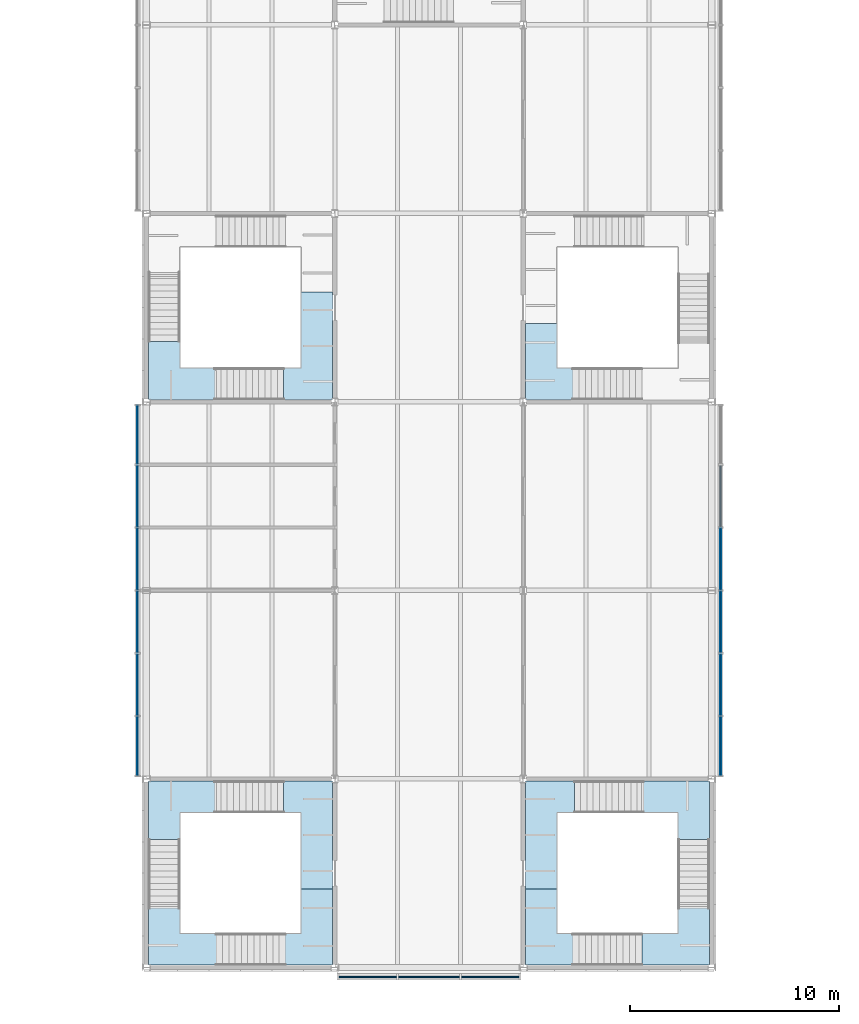
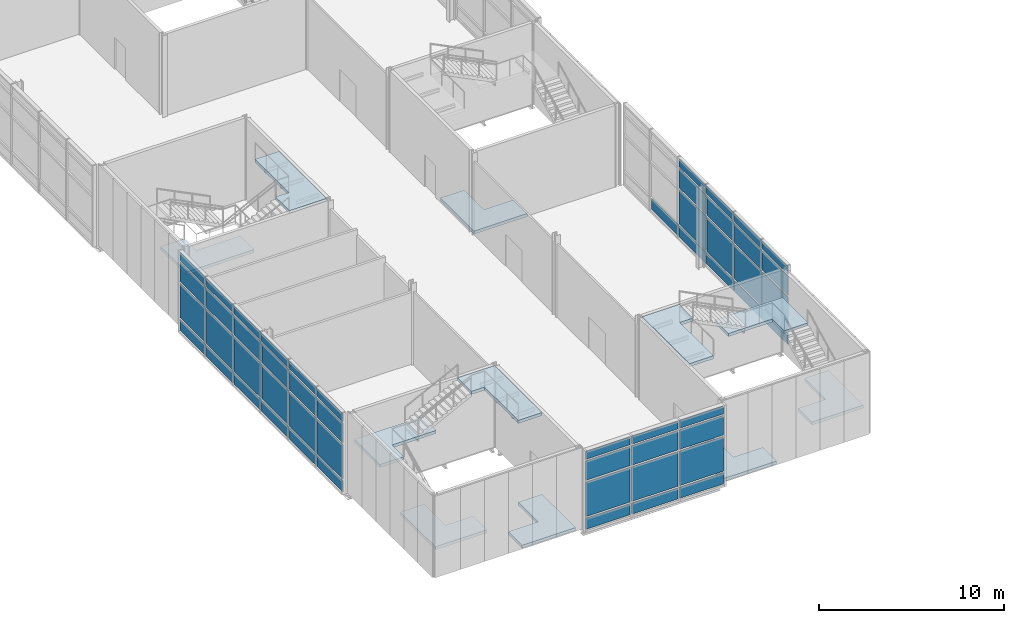
# One storey, part 28 of 53: 53 plates, 11 slabs, 7 elements without a shape of their own.
"""IFC4 building model written with IfcOpenShell, lengths in metres."""

from ifc_helpers import new_model, si_unit, direction, frame, origin, origin_2d, place, context, subcontext, project, spatial, polyline, rectangle, outline, extrude, material, layer, layer_set, type_object, element, aggregate, save


model = new_model("IFC4")

# Units and contexts
model_context = context("Model", 3, precision=1e-05, world=origin(), true_north=direction((0.0, 1.0)))
body_context = subcontext(model_context, "Body", "Model", "MODEL_VIEW")
ifc_project = project(units=[si_unit("LENGTHUNIT", "METRE"), si_unit("AREAUNIT", "SQUARE_METRE"), si_unit("VOLUMEUNIT", "CUBIC_METRE"), si_unit("PLANEANGLEUNIT", "RADIAN"), si_unit("MASSUNIT", "GRAM", prefix="KILO")], contexts=[model_context])

# Site, building, storey
site_placement = place(None, origin())
site = spatial("IfcSite", under=ifc_project, at=site_placement, CompositionType="ELEMENT")
building_placement = place(site_placement, origin())
building = spatial("IfcBuilding", under=site, at=building_placement, Name="Azimuth Sports and Learning Centre", CompositionType="ELEMENT")
storey_placement = place(building_placement, frame((0.0, 0.0, 10.800048828125)))
storey = spatial("IfcBuildingStorey", under=building, at=storey_placement, Name="L02", CompositionType="ELEMENT", Elevation=10.800048828125)

# Stair, slabs
ifc_material_1 = material(Name="Concrete C32/40", Category="concrete")
stair_type = type_object("IfcStairType", Name="Square-well stair stem cell 5400 storey", PredefinedType="THREE_QUARTER_TURN_STAIR", material=ifc_material_1)
stair_1_placement = place(storey_placement, origin())
stair_1 = element("IfcStair", 1, at=stair_1_placement, inside=storey, type_object=stair_type, Name="Stair ST1 L02-L03", PredefinedType="THREE_QUARTER_TURN_STAIR")
ifc_material_2 = material(Name="Concrete C32/40", Category="concrete")
ifc_layer_1 = layer(ifc_material_2, 0.199951171875)
ifc_layer_set_1 = layer_set([ifc_layer_1], Name="Concrete C32/40")
slab_type = type_object("IfcSlabType", Name="Concrete stair landing", PredefinedType="LANDING", material=ifc_layer_set_1)
slab_1_placement = place(storey_placement, frame((0.0, 0.0, -0.199951171875)))
slab_1 = element("IfcSlab", 2, at=slab_1_placement, type_object=slab_type, Name="Stair ST1 L02 landing 1", PredefinedType="LANDING", context=body_context, shape_type="SweptSolid", body=[
    extrude(outline(polyline([(80.889892578125, 0.110107421875), (80.889892578125, 3.75), (79.389892578125, 3.75), (79.389892578125, 1.610107421875), (77.5400390625, 1.610107421875), (77.5400390625, 0.110107421875), (80.889892578125, 0.110107421875)])), origin(), (0.0, 0.0, 1.0), 0.199951171875),
])
slab_2_placement = place(storey_placement, frame((0.0, 0.0, 1.599853515625)))
slab_2 = element("IfcSlab", 3, at=slab_2_placement, type_object=slab_type, Name="Stair ST1 L02 landing 2", PredefinedType="LANDING", context=body_context, shape_type="SweptSolid", body=[
    extrude(outline(polyline([(73.610107421875, 1.610107421875), (73.610107421875, 3.909912109375), (72.110107421875, 3.909912109375), (72.110107421875, 0.110107421875), (75.3408203125, 0.110107421875), (75.3408203125, 1.610107421875), (73.610107421875, 1.610107421875)])), origin(), (0.0, 0.0, 1.0), 0.2001953125),
])
slab_3_placement = place(storey_placement, frame((0.0, 0.0, 3.39990234375)))
slab_3 = element("IfcSlab", 4, at=slab_3_placement, type_object=slab_type, Name="Stair ST1 L02 landing 3", PredefinedType="LANDING", context=body_context, shape_type="SweptSolid", body=[
    extrude(outline(polyline([(73.610107421875, 7.389892578125), (76.360107421875, 7.389892578125), (76.360107421875, 8.889892578125), (72.110107421875, 8.889892578125), (72.110107421875, 6.109375), (73.610107421875, 6.109375), (73.610107421875, 7.389892578125)])), origin(), (0.0, 0.0, 1.0), 0.199951171875),
])
slab_4_placement = place(storey_placement, frame((0.0, 0.0, 5.199951171875)))
slab_4 = element("IfcSlab", 5, at=slab_4_placement, type_object=slab_type, Name="Stair ST1 L02 landing 4", PredefinedType="LANDING", context=body_context, shape_type="SweptSolid", body=[
    extrude(outline(polyline([(79.389892578125, 7.389892578125), (79.389892578125, 3.75), (80.889892578125, 3.75), (80.889892578125, 8.889892578125), (78.559326171875, 8.889892578125), (78.559326171875, 7.389892578125), (79.389892578125, 7.389892578125)])), origin(), (0.0, 0.0, 1.0), 0.199951171875),
])
aggregate(stair_1, [slab_1, slab_2, slab_3, slab_4])

stair_2_placement = place(storey_placement, origin())
stair_2 = element("IfcStair", 6, at=stair_2_placement, inside=storey, type_object=stair_type, Name="Stair ST2 L02-L03", PredefinedType="THREE_QUARTER_TURN_STAIR")
slab_5_placement = place(storey_placement, frame((0.0, 0.0, -0.199951171875)))
slab_5 = element("IfcSlab", 7, at=slab_5_placement, type_object=slab_type, Name="Stair ST2 L02 landing 1", PredefinedType="LANDING", context=body_context, shape_type="SweptSolid", body=[
    extrude(outline(polyline([(93.4599609375, 1.610107421875), (91.610107421875, 1.610107421875), (91.610107421875, 3.75), (90.110107421875, 3.75), (90.110107421875, 0.110107421875), (93.4599609375, 0.110107421875), (93.4599609375, 1.610107421875)])), origin(), (0.0, 0.0, 1.0), 0.199951171875),
])
slab_6_placement = place(storey_placement, frame((0.0, 0.0, 1.599853515625)))
slab_6 = element("IfcSlab", 8, at=slab_6_placement, type_object=slab_type, Name="Stair ST2 L02 landing 2", PredefinedType="LANDING", context=body_context, shape_type="SweptSolid", body=[
    extrude(outline(polyline([(97.389892578125, 1.610107421875), (95.6591796875, 1.610107421875), (95.6591796875, 0.110107421875), (98.889892578125, 0.110107421875), (98.889892578125, 3.909912109375), (97.389892578125, 3.909912109375), (97.389892578125, 1.610107421875)])), origin(), (0.0, 0.0, 1.0), 0.2001953125),
])
slab_7_placement = place(storey_placement, frame((0.0, 0.0, 3.39990234375)))
slab_7 = element("IfcSlab", 9, at=slab_7_placement, type_object=slab_type, Name="Stair ST2 L02 landing 3", PredefinedType="LANDING", context=body_context, shape_type="SweptSolid", body=[
    extrude(outline(polyline([(97.389892578125, 7.389892578125), (97.389892578125, 6.109375), (98.889892578125, 6.109375), (98.889892578125, 8.889892578125), (94.639892578125, 8.889892578125), (94.639892578125, 7.389892578125), (97.389892578125, 7.389892578125)])), origin(), (0.0, 0.0, 1.0), 0.199951171875),
])
slab_8_placement = place(storey_placement, frame((0.0, 0.0, 5.199951171875)))
slab_8 = element("IfcSlab", 10, at=slab_8_placement, type_object=slab_type, Name="Stair ST2 L02 landing 4", PredefinedType="LANDING", context=body_context, shape_type="SweptSolid", body=[
    extrude(outline(polyline([(91.610107421875, 7.389892578125), (92.440673828125, 7.389892578125), (92.440673828125, 8.889892578125), (90.110107421875, 8.889892578125), (90.110107421875, 3.75), (91.610107421875, 3.75), (91.610107421875, 7.389892578125)])), origin(), (0.0, 0.0, 1.0), 0.199951171875),
])
aggregate(stair_2, [slab_5, slab_6, slab_7, slab_8])

stair_3_placement = place(storey_placement, origin())
stair_3 = element("IfcStair", 11, at=stair_3_placement, inside=storey, type_object=stair_type, Name="Stair ST3 L02-L03", PredefinedType="THREE_QUARTER_TURN_STAIR")
slab_9_placement = place(storey_placement, frame((0.0, 0.0, 3.39990234375)))
slab_9 = element("IfcSlab", 12, at=slab_9_placement, type_object=slab_type, Name="Stair ST3 L02 landing 3", PredefinedType="LANDING", context=body_context, shape_type="SweptSolid", body=[
    extrude(outline(polyline([(73.610107421875, 28.610107421875), (73.610107421875, 29.890625), (72.110107421875, 29.890625), (72.110107421875, 27.110107421875), (76.360107421875, 27.110107421875), (76.360107421875, 28.610107421875), (73.610107421875, 28.610107421875)])), origin(), (0.0, 0.0, 1.0), 0.199951171875),
])
slab_10_placement = place(storey_placement, frame((0.0, 0.0, 5.199951171875)))
slab_10 = element("IfcSlab", 13, at=slab_10_placement, type_object=slab_type, Name="Stair ST3 L02 landing 4", PredefinedType="LANDING", context=body_context, shape_type="SweptSolid", body=[
    extrude(outline(polyline([(79.389892578125, 28.610107421875), (78.559326171875, 28.610107421875), (78.559326171875, 27.110107421875), (80.889892578125, 27.110107421875), (80.889892578125, 32.25), (79.389892578125, 32.25), (79.389892578125, 28.610107421875)])), origin(), (0.0, 0.0, 1.0), 0.199951171875),
])
aggregate(stair_3, [slab_9, slab_10])

# Stair, slab
stair_4_placement = place(storey_placement, origin())
stair_4 = element("IfcStair", 14, at=stair_4_placement, inside=storey, type_object=stair_type, Name="Stair ST4 L02-L03", PredefinedType="THREE_QUARTER_TURN_STAIR")
slab_11_placement = place(storey_placement, frame((0.0, 0.0, -0.199951171875)))
slab_11 = element("IfcSlab", 15, at=slab_11_placement, type_object=slab_type, Name="Stair ST4 L02 landing 1", PredefinedType="LANDING", context=body_context, shape_type="SweptSolid", body=[
    extrude(outline(polyline([(93.4599609375, 28.610107421875), (91.610107421875, 28.610107421875), (91.610107421875, 30.75), (90.110107421875, 30.75), (90.110107421875, 27.110107421875), (93.4599609375, 27.110107421875), (93.4599609375, 28.610107421875)])), origin(), (0.0, 0.0, 1.0), 0.199951171875),
])
aggregate(stair_4, [slab_11])

# Curtain wall, plates
ifc_material_3 = material(Name="Aluminium and glass", Category="aluminium")
curtain_wall_type_1 = type_object("IfcCurtainWallType", Name="Curtain wall podium stem 240", PredefinedType="NOTDEFINED", material=ifc_material_3)
curtain_wall_1_placement = place(storey_placement, origin())
curtain_wall_1 = element("IfcCurtainWall", 16, at=curtain_wall_1_placement, inside=storey, type_object=curtain_wall_type_1, Name="Curtain wall CW02-004", PredefinedType="NOTDEFINED")
ifc_material_4 = material(Name="Insulated aluminium panel", Category="aluminium")
ifc_layer_2 = layer(ifc_material_4, 0.06005859375)
ifc_layer_set_2 = layer_set([ifc_layer_2], Name="Insulated aluminium panel")
plate_type_1 = type_object("IfcPlateType", Name="Spandrel panel 60 mm", PredefinedType="CURTAIN_PANEL", material=ifc_layer_set_2)
plate_1_placement = place(storey_placement, frame((71.580078125, 25.429931640625, 0.1201171875), z_axis=(0.0, 0.0, 1.0), x_axis=(0.0, -1.0, 0.0)))
plate_1 = element("IfcPlate", 17, at=plate_1_placement, type_object=plate_type_1, Name="CW02-004 panel 1.1", PredefinedType="CURTAIN_PANEL", context=body_context, shape_type="SweptSolid", body=[
    extrude(rectangle(XDim=2.780029296875, YDim=0.06005859375, at=origin_2d()), origin(), (0.0, 0.0, 1.0), 0.719970703125),
])
plate_2_placement = place(storey_placement, frame((71.580078125, 25.429931640625, 4.760009765625), z_axis=(0.0, 0.0, 1.0), x_axis=(0.0, -1.0, 0.0)))
plate_2 = element("IfcPlate", 18, at=plate_2_placement, type_object=plate_type_1, Name="CW02-004 panel 1.4", PredefinedType="CURTAIN_PANEL", context=body_context, shape_type="SweptSolid", body=[
    extrude(rectangle(XDim=2.780029296875, YDim=0.06005859375, at=origin_2d()), origin(), (0.0, 0.0, 1.0), 0.52001953125),
])
plate_3_placement = place(storey_placement, frame((71.580078125, 22.5, 0.1201171875), z_axis=(0.0, 0.0, 1.0), x_axis=(0.0, -1.0, 0.0)))
plate_3 = element("IfcPlate", 19, at=plate_3_placement, type_object=plate_type_1, Name="CW02-004 panel 2.1", PredefinedType="CURTAIN_PANEL", context=body_context, shape_type="SweptSolid", body=[
    extrude(rectangle(XDim=2.919921875, YDim=0.06005859375, at=origin_2d()), origin(), (0.0, 0.0, 1.0), 0.719970703125),
])
plate_4_placement = place(storey_placement, frame((71.580078125, 22.5, 4.760009765625), z_axis=(0.0, 0.0, 1.0), x_axis=(0.0, -1.0, 0.0)))
plate_4 = element("IfcPlate", 20, at=plate_4_placement, type_object=plate_type_1, Name="CW02-004 panel 2.4", PredefinedType="CURTAIN_PANEL", context=body_context, shape_type="SweptSolid", body=[
    extrude(rectangle(XDim=2.919921875, YDim=0.06005859375, at=origin_2d()), origin(), (0.0, 0.0, 1.0), 0.52001953125),
])
plate_5_placement = place(storey_placement, frame((71.580078125, 19.5, 0.1201171875), z_axis=(0.0, 0.0, 1.0), x_axis=(0.0, -1.0, 0.0)))
plate_5 = element("IfcPlate", 21, at=plate_5_placement, type_object=plate_type_1, Name="CW02-004 panel 3.1", PredefinedType="CURTAIN_PANEL", context=body_context, shape_type="SweptSolid", body=[
    extrude(rectangle(XDim=2.919921875, YDim=0.06005859375, at=origin_2d()), origin(), (0.0, 0.0, 1.0), 0.719970703125),
])
plate_6_placement = place(storey_placement, frame((71.580078125, 19.5, 4.760009765625), z_axis=(0.0, 0.0, 1.0), x_axis=(0.0, -1.0, 0.0)))
plate_6 = element("IfcPlate", 22, at=plate_6_placement, type_object=plate_type_1, Name="CW02-004 panel 3.4", PredefinedType="CURTAIN_PANEL", context=body_context, shape_type="SweptSolid", body=[
    extrude(rectangle(XDim=2.919921875, YDim=0.06005859375, at=origin_2d()), origin(), (0.0, 0.0, 1.0), 0.52001953125),
])
plate_7_placement = place(storey_placement, frame((71.580078125, 16.5, 0.1201171875), z_axis=(0.0, 0.0, 1.0), x_axis=(0.0, -1.0, 0.0)))
plate_7 = element("IfcPlate", 23, at=plate_7_placement, type_object=plate_type_1, Name="CW02-004 panel 4.1", PredefinedType="CURTAIN_PANEL", context=body_context, shape_type="SweptSolid", body=[
    extrude(rectangle(XDim=2.919921875, YDim=0.06005859375, at=origin_2d()), origin(), (0.0, 0.0, 1.0), 0.719970703125),
])
plate_8_placement = place(storey_placement, frame((71.580078125, 16.5, 4.760009765625), z_axis=(0.0, 0.0, 1.0), x_axis=(0.0, -1.0, 0.0)))
plate_8 = element("IfcPlate", 24, at=plate_8_placement, type_object=plate_type_1, Name="CW02-004 panel 4.4", PredefinedType="CURTAIN_PANEL", context=body_context, shape_type="SweptSolid", body=[
    extrude(rectangle(XDim=2.919921875, YDim=0.06005859375, at=origin_2d()), origin(), (0.0, 0.0, 1.0), 0.52001953125),
])
plate_9_placement = place(storey_placement, frame((71.580078125, 13.5, 0.1201171875), z_axis=(0.0, 0.0, 1.0), x_axis=(0.0, -1.0, 0.0)))
plate_9 = element("IfcPlate", 25, at=plate_9_placement, type_object=plate_type_1, Name="CW02-004 panel 5.1", PredefinedType="CURTAIN_PANEL", context=body_context, shape_type="SweptSolid", body=[
    extrude(rectangle(XDim=2.919921875, YDim=0.06005859375, at=origin_2d()), origin(), (0.0, 0.0, 1.0), 0.719970703125),
])
plate_10_placement = place(storey_placement, frame((71.580078125, 13.5, 4.760009765625), z_axis=(0.0, 0.0, 1.0), x_axis=(0.0, -1.0, 0.0)))
plate_10 = element("IfcPlate", 26, at=plate_10_placement, type_object=plate_type_1, Name="CW02-004 panel 5.4", PredefinedType="CURTAIN_PANEL", context=body_context, shape_type="SweptSolid", body=[
    extrude(rectangle(XDim=2.919921875, YDim=0.06005859375, at=origin_2d()), origin(), (0.0, 0.0, 1.0), 0.52001953125),
])
plate_11_placement = place(storey_placement, frame((71.580078125, 10.570068359375, 0.1201171875), z_axis=(0.0, 0.0, 1.0), x_axis=(0.0, -1.0, 0.0)))
plate_11 = element("IfcPlate", 27, at=plate_11_placement, type_object=plate_type_1, Name="CW02-004 panel 6.1", PredefinedType="CURTAIN_PANEL", context=body_context, shape_type="SweptSolid", body=[
    extrude(rectangle(XDim=2.780029296875, YDim=0.06005859375, at=origin_2d()), origin(), (0.0, 0.0, 1.0), 0.719970703125),
])
plate_12_placement = place(storey_placement, frame((71.580078125, 10.570068359375, 4.760009765625), z_axis=(0.0, 0.0, 1.0), x_axis=(0.0, -1.0, 0.0)))
plate_12 = element("IfcPlate", 28, at=plate_12_placement, type_object=plate_type_1, Name="CW02-004 panel 6.4", PredefinedType="CURTAIN_PANEL", context=body_context, shape_type="SweptSolid", body=[
    extrude(rectangle(XDim=2.780029296875, YDim=0.06005859375, at=origin_2d()), origin(), (0.0, 0.0, 1.0), 0.52001953125),
])

curtain_wall_2_placement = place(storey_placement, origin())
curtain_wall_2 = element("IfcCurtainWall", 29, at=curtain_wall_2_placement, inside=storey, type_object=curtain_wall_type_1, Name="Curtain wall CW02-006", PredefinedType="NOTDEFINED")
plate_13_placement = place(storey_placement, frame((99.419921875, 10.570068359375, 0.1201171875), z_axis=(0.0, 0.0, 1.0), x_axis=(0.0, 1.0, 0.0)))
plate_13 = element("IfcPlate", 30, at=plate_13_placement, type_object=plate_type_1, Name="CW02-006 panel 1.1", PredefinedType="CURTAIN_PANEL", context=body_context, shape_type="SweptSolid", body=[
    extrude(rectangle(XDim=2.780029296875, YDim=0.06005859375, at=origin_2d()), origin(), (0.0, 0.0, 1.0), 0.719970703125),
])
plate_14_placement = place(storey_placement, frame((99.419921875, 10.570068359375, 4.760009765625), z_axis=(0.0, 0.0, 1.0), x_axis=(0.0, 1.0, 0.0)))
plate_14 = element("IfcPlate", 31, at=plate_14_placement, type_object=plate_type_1, Name="CW02-006 panel 1.4", PredefinedType="CURTAIN_PANEL", context=body_context, shape_type="SweptSolid", body=[
    extrude(rectangle(XDim=2.780029296875, YDim=0.06005859375, at=origin_2d()), origin(), (0.0, 0.0, 1.0), 0.52001953125),
])
plate_15_placement = place(storey_placement, frame((99.419921875, 13.5, 0.1201171875), z_axis=(0.0, 0.0, 1.0), x_axis=(0.0, 1.0, 0.0)))
plate_15 = element("IfcPlate", 32, at=plate_15_placement, type_object=plate_type_1, Name="CW02-006 panel 2.1", PredefinedType="CURTAIN_PANEL", context=body_context, shape_type="SweptSolid", body=[
    extrude(rectangle(XDim=2.919921875, YDim=0.06005859375, at=origin_2d()), origin(), (0.0, 0.0, 1.0), 0.719970703125),
])
plate_16_placement = place(storey_placement, frame((99.419921875, 13.5, 4.760009765625), z_axis=(0.0, 0.0, 1.0), x_axis=(0.0, 1.0, 0.0)))
plate_16 = element("IfcPlate", 33, at=plate_16_placement, type_object=plate_type_1, Name="CW02-006 panel 2.4", PredefinedType="CURTAIN_PANEL", context=body_context, shape_type="SweptSolid", body=[
    extrude(rectangle(XDim=2.919921875, YDim=0.06005859375, at=origin_2d()), origin(), (0.0, 0.0, 1.0), 0.52001953125),
])
plate_17_placement = place(storey_placement, frame((99.419921875, 16.5, 0.1201171875), z_axis=(0.0, 0.0, 1.0), x_axis=(0.0, 1.0, 0.0)))
plate_17 = element("IfcPlate", 34, at=plate_17_placement, type_object=plate_type_1, Name="CW02-006 panel 3.1", PredefinedType="CURTAIN_PANEL", context=body_context, shape_type="SweptSolid", body=[
    extrude(rectangle(XDim=2.919921875, YDim=0.06005859375, at=origin_2d()), origin(), (0.0, 0.0, 1.0), 0.719970703125),
])
plate_18_placement = place(storey_placement, frame((99.419921875, 16.5, 4.760009765625), z_axis=(0.0, 0.0, 1.0), x_axis=(0.0, 1.0, 0.0)))
plate_18 = element("IfcPlate", 35, at=plate_18_placement, type_object=plate_type_1, Name="CW02-006 panel 3.4", PredefinedType="CURTAIN_PANEL", context=body_context, shape_type="SweptSolid", body=[
    extrude(rectangle(XDim=2.919921875, YDim=0.06005859375, at=origin_2d()), origin(), (0.0, 0.0, 1.0), 0.52001953125),
])
plate_19_placement = place(storey_placement, frame((99.419921875, 19.5, 0.1201171875), z_axis=(0.0, 0.0, 1.0), x_axis=(0.0, 1.0, 0.0)))
plate_19 = element("IfcPlate", 36, at=plate_19_placement, type_object=plate_type_1, Name="CW02-006 panel 4.1", PredefinedType="CURTAIN_PANEL", context=body_context, shape_type="SweptSolid", body=[
    extrude(rectangle(XDim=2.919921875, YDim=0.06005859375, at=origin_2d()), origin(), (0.0, 0.0, 1.0), 0.719970703125),
])
plate_20_placement = place(storey_placement, frame((99.419921875, 19.5, 4.760009765625), z_axis=(0.0, 0.0, 1.0), x_axis=(0.0, 1.0, 0.0)))
plate_20 = element("IfcPlate", 37, at=plate_20_placement, type_object=plate_type_1, Name="CW02-006 panel 4.4", PredefinedType="CURTAIN_PANEL", context=body_context, shape_type="SweptSolid", body=[
    extrude(rectangle(XDim=2.919921875, YDim=0.06005859375, at=origin_2d()), origin(), (0.0, 0.0, 1.0), 0.52001953125),
])
plate_21_placement = place(storey_placement, frame((99.419921875, 22.5, 0.1201171875), z_axis=(0.0, 0.0, 1.0), x_axis=(0.0, 1.0, 0.0)))
plate_21 = element("IfcPlate", 38, at=plate_21_placement, type_object=plate_type_1, Name="CW02-006 panel 5.1", PredefinedType="CURTAIN_PANEL", context=body_context, shape_type="SweptSolid", body=[
    extrude(rectangle(XDim=2.919921875, YDim=0.06005859375, at=origin_2d()), origin(), (0.0, 0.0, 1.0), 0.719970703125),
])

ifc_material_5 = material(Name="Aluminium and glass", Category="aluminium")
curtain_wall_type_2 = type_object("IfcCurtainWallType", Name="Curtain wall podium front 300", PredefinedType="NOTDEFINED", material=ifc_material_5)
curtain_wall_3_placement = place(storey_placement, origin())
curtain_wall_3 = element("IfcCurtainWall", 39, at=curtain_wall_3_placement, inside=storey, type_object=curtain_wall_type_2, Name="Curtain wall CW02-005", PredefinedType="NOTDEFINED")
ifc_material_6 = material(Name="Insulated aluminium panel", Category="aluminium")
ifc_layer_3 = layer(ifc_material_6, 0.080078125)
ifc_layer_set_3 = layer_set([ifc_layer_3], Name="Insulated aluminium panel")
plate_type_2 = type_object("IfcPlateType", Name="Spandrel panel 80 mm", PredefinedType="CURTAIN_PANEL", material=ifc_layer_set_3)
plate_22_placement = place(storey_placement, frame((82.574951171875, -0.449951171875, 0.139892578125), z_axis=(0.0, 0.0, 1.0), x_axis=(1.0, 0.0, 0.0)))
plate_22 = element("IfcPlate", 40, at=plate_22_placement, type_object=plate_type_2, Name="CW02-005 panel 1.1", PredefinedType="CURTAIN_PANEL", context=body_context, shape_type="SweptSolid", body=[
    extrude(rectangle(XDim=2.75, YDim=0.080078125, at=origin_2d()), origin(), (0.0, 0.0, 1.0), 0.68994140625),
])
plate_23_placement = place(storey_placement, frame((82.574951171875, -0.449951171875, 4.77001953125), z_axis=(0.0, 0.0, 1.0), x_axis=(1.0, 0.0, 0.0)))
plate_23 = element("IfcPlate", 41, at=plate_23_placement, type_object=plate_type_2, Name="CW02-005 panel 1.4", PredefinedType="CURTAIN_PANEL", context=body_context, shape_type="SweptSolid", body=[
    extrude(rectangle(XDim=2.75, YDim=0.080078125, at=origin_2d()), origin(), (0.0, 0.0, 1.0), 0.489990234375),
])
plate_24_placement = place(storey_placement, frame((85.5, -0.449951171875, 0.139892578125), z_axis=(0.0, 0.0, 1.0), x_axis=(1.0, 0.0, 0.0)))
plate_24 = element("IfcPlate", 42, at=plate_24_placement, type_object=plate_type_2, Name="CW02-005 panel 2.1", PredefinedType="CURTAIN_PANEL", context=body_context, shape_type="SweptSolid", body=[
    extrude(rectangle(XDim=2.89990234375, YDim=0.080078125, at=origin_2d()), origin(), (0.0, 0.0, 1.0), 0.68994140625),
])
plate_25_placement = place(storey_placement, frame((85.5, -0.449951171875, 4.77001953125), z_axis=(0.0, 0.0, 1.0), x_axis=(1.0, 0.0, 0.0)))
plate_25 = element("IfcPlate", 43, at=plate_25_placement, type_object=plate_type_2, Name="CW02-005 panel 2.4", PredefinedType="CURTAIN_PANEL", context=body_context, shape_type="SweptSolid", body=[
    extrude(rectangle(XDim=2.89990234375, YDim=0.080078125, at=origin_2d()), origin(), (0.0, 0.0, 1.0), 0.489990234375),
])
plate_26_placement = place(storey_placement, frame((88.425048828125, -0.449951171875, 0.139892578125), z_axis=(0.0, 0.0, 1.0), x_axis=(1.0, 0.0, 0.0)))
plate_26 = element("IfcPlate", 44, at=plate_26_placement, type_object=plate_type_2, Name="CW02-005 panel 3.1", PredefinedType="CURTAIN_PANEL", context=body_context, shape_type="SweptSolid", body=[
    extrude(rectangle(XDim=2.75, YDim=0.080078125, at=origin_2d()), origin(), (0.0, 0.0, 1.0), 0.68994140625),
])
plate_27_placement = place(storey_placement, frame((88.425048828125, -0.449951171875, 4.77001953125), z_axis=(0.0, 0.0, 1.0), x_axis=(1.0, 0.0, 0.0)))
plate_27 = element("IfcPlate", 45, at=plate_27_placement, type_object=plate_type_2, Name="CW02-005 panel 3.4", PredefinedType="CURTAIN_PANEL", context=body_context, shape_type="SweptSolid", body=[
    extrude(rectangle(XDim=2.75, YDim=0.080078125, at=origin_2d()), origin(), (0.0, 0.0, 1.0), 0.489990234375),
])

# Plate
ifc_material_7 = material(Name="Glass", Category="glass")
ifc_layer_4 = layer(ifc_material_7, 0.0439453125)
ifc_layer_set_4 = layer_set([ifc_layer_4], Name="Glass")
plate_type_3 = type_object("IfcPlateType", Name="Vision glass 44 mm", PredefinedType="CURTAIN_PANEL", material=ifc_layer_set_4)
plate_28_placement = place(storey_placement, frame((71.580078125, 25.429931640625, 0.9599609375), z_axis=(0.0, 0.0, 1.0), x_axis=(0.0, -1.0, 0.0)))
plate_28 = element("IfcPlate", 46, at=plate_28_placement, type_object=plate_type_3, Name="CW02-004 panel 1.2", PredefinedType="CURTAIN_PANEL", context=body_context, shape_type="SweptSolid", body=[
    extrude(rectangle(XDim=2.780029296875, YDim=0.0439453125, at=origin_2d()), origin(), (0.0, 0.0, 1.0), 2.280029296875),
])

plate_29_placement = place(storey_placement, frame((71.580078125, 25.429931640625, 3.35986328125), z_axis=(0.0, 0.0, 1.0), x_axis=(0.0, -1.0, 0.0)))
plate_29 = element("IfcPlate", 47, at=plate_29_placement, type_object=plate_type_3, Name="CW02-004 panel 1.3", PredefinedType="CURTAIN_PANEL", context=body_context, shape_type="SweptSolid", body=[
    extrude(rectangle(XDim=2.780029296875, YDim=0.0439453125, at=origin_2d()), origin(), (0.0, 0.0, 1.0), 1.280029296875),
])

plate_30_placement = place(storey_placement, frame((71.580078125, 22.5, 0.9599609375), z_axis=(0.0, 0.0, 1.0), x_axis=(0.0, -1.0, 0.0)))
plate_30 = element("IfcPlate", 48, at=plate_30_placement, type_object=plate_type_3, Name="CW02-004 panel 2.2", PredefinedType="CURTAIN_PANEL", context=body_context, shape_type="SweptSolid", body=[
    extrude(rectangle(XDim=2.919921875, YDim=0.0439453125, at=origin_2d()), origin(), (0.0, 0.0, 1.0), 2.280029296875),
])

plate_31_placement = place(storey_placement, frame((71.580078125, 22.5, 3.35986328125), z_axis=(0.0, 0.0, 1.0), x_axis=(0.0, -1.0, 0.0)))
plate_31 = element("IfcPlate", 49, at=plate_31_placement, type_object=plate_type_3, Name="CW02-004 panel 2.3", PredefinedType="CURTAIN_PANEL", context=body_context, shape_type="SweptSolid", body=[
    extrude(rectangle(XDim=2.919921875, YDim=0.0439453125, at=origin_2d()), origin(), (0.0, 0.0, 1.0), 1.280029296875),
])

plate_32_placement = place(storey_placement, frame((71.580078125, 19.5, 0.9599609375), z_axis=(0.0, 0.0, 1.0), x_axis=(0.0, -1.0, 0.0)))
plate_32 = element("IfcPlate", 50, at=plate_32_placement, type_object=plate_type_3, Name="CW02-004 panel 3.2", PredefinedType="CURTAIN_PANEL", context=body_context, shape_type="SweptSolid", body=[
    extrude(rectangle(XDim=2.919921875, YDim=0.0439453125, at=origin_2d()), origin(), (0.0, 0.0, 1.0), 2.280029296875),
])

plate_33_placement = place(storey_placement, frame((71.580078125, 19.5, 3.35986328125), z_axis=(0.0, 0.0, 1.0), x_axis=(0.0, -1.0, 0.0)))
plate_33 = element("IfcPlate", 51, at=plate_33_placement, type_object=plate_type_3, Name="CW02-004 panel 3.3", PredefinedType="CURTAIN_PANEL", context=body_context, shape_type="SweptSolid", body=[
    extrude(rectangle(XDim=2.919921875, YDim=0.0439453125, at=origin_2d()), origin(), (0.0, 0.0, 1.0), 1.280029296875),
])

plate_34_placement = place(storey_placement, frame((71.580078125, 16.5, 0.9599609375), z_axis=(0.0, 0.0, 1.0), x_axis=(0.0, -1.0, 0.0)))
plate_34 = element("IfcPlate", 52, at=plate_34_placement, type_object=plate_type_3, Name="CW02-004 panel 4.2", PredefinedType="CURTAIN_PANEL", context=body_context, shape_type="SweptSolid", body=[
    extrude(rectangle(XDim=2.919921875, YDim=0.0439453125, at=origin_2d()), origin(), (0.0, 0.0, 1.0), 2.280029296875),
])

plate_35_placement = place(storey_placement, frame((71.580078125, 16.5, 3.35986328125), z_axis=(0.0, 0.0, 1.0), x_axis=(0.0, -1.0, 0.0)))
plate_35 = element("IfcPlate", 53, at=plate_35_placement, type_object=plate_type_3, Name="CW02-004 panel 4.3", PredefinedType="CURTAIN_PANEL", context=body_context, shape_type="SweptSolid", body=[
    extrude(rectangle(XDim=2.919921875, YDim=0.0439453125, at=origin_2d()), origin(), (0.0, 0.0, 1.0), 1.280029296875),
])

plate_36_placement = place(storey_placement, frame((71.580078125, 13.5, 0.9599609375), z_axis=(0.0, 0.0, 1.0), x_axis=(0.0, -1.0, 0.0)))
plate_36 = element("IfcPlate", 54, at=plate_36_placement, type_object=plate_type_3, Name="CW02-004 panel 5.2", PredefinedType="CURTAIN_PANEL", context=body_context, shape_type="SweptSolid", body=[
    extrude(rectangle(XDim=2.919921875, YDim=0.0439453125, at=origin_2d()), origin(), (0.0, 0.0, 1.0), 2.280029296875),
])

plate_37_placement = place(storey_placement, frame((71.580078125, 13.5, 3.35986328125), z_axis=(0.0, 0.0, 1.0), x_axis=(0.0, -1.0, 0.0)))
plate_37 = element("IfcPlate", 55, at=plate_37_placement, type_object=plate_type_3, Name="CW02-004 panel 5.3", PredefinedType="CURTAIN_PANEL", context=body_context, shape_type="SweptSolid", body=[
    extrude(rectangle(XDim=2.919921875, YDim=0.0439453125, at=origin_2d()), origin(), (0.0, 0.0, 1.0), 1.280029296875),
])

plate_38_placement = place(storey_placement, frame((71.580078125, 10.570068359375, 0.9599609375), z_axis=(0.0, 0.0, 1.0), x_axis=(0.0, -1.0, 0.0)))
plate_38 = element("IfcPlate", 56, at=plate_38_placement, type_object=plate_type_3, Name="CW02-004 panel 6.2", PredefinedType="CURTAIN_PANEL", context=body_context, shape_type="SweptSolid", body=[
    extrude(rectangle(XDim=2.780029296875, YDim=0.0439453125, at=origin_2d()), origin(), (0.0, 0.0, 1.0), 2.280029296875),
])

plate_39_placement = place(storey_placement, frame((71.580078125, 10.570068359375, 3.35986328125), z_axis=(0.0, 0.0, 1.0), x_axis=(0.0, -1.0, 0.0)))
plate_39 = element("IfcPlate", 57, at=plate_39_placement, type_object=plate_type_3, Name="CW02-004 panel 6.3", PredefinedType="CURTAIN_PANEL", context=body_context, shape_type="SweptSolid", body=[
    extrude(rectangle(XDim=2.780029296875, YDim=0.0439453125, at=origin_2d()), origin(), (0.0, 0.0, 1.0), 1.280029296875),
])

aggregate(curtain_wall_1, [plate_1, plate_28, plate_29, plate_2, plate_3, plate_30, plate_31, plate_4, plate_5, plate_32, plate_33, plate_6, plate_7, plate_34, plate_35, plate_8, plate_9, plate_36, plate_37, plate_10, plate_11, plate_38, plate_39, plate_12])

plate_40_placement = place(storey_placement, frame((99.419921875, 10.570068359375, 0.9599609375), z_axis=(0.0, 0.0, 1.0), x_axis=(0.0, 1.0, 0.0)))
plate_40 = element("IfcPlate", 58, at=plate_40_placement, type_object=plate_type_3, Name="CW02-006 panel 1.2", PredefinedType="CURTAIN_PANEL", context=body_context, shape_type="SweptSolid", body=[
    extrude(rectangle(XDim=2.780029296875, YDim=0.0439453125, at=origin_2d()), origin(), (0.0, 0.0, 1.0), 2.280029296875),
])

plate_41_placement = place(storey_placement, frame((99.419921875, 10.570068359375, 3.35986328125), z_axis=(0.0, 0.0, 1.0), x_axis=(0.0, 1.0, 0.0)))
plate_41 = element("IfcPlate", 59, at=plate_41_placement, type_object=plate_type_3, Name="CW02-006 panel 1.3", PredefinedType="CURTAIN_PANEL", context=body_context, shape_type="SweptSolid", body=[
    extrude(rectangle(XDim=2.780029296875, YDim=0.0439453125, at=origin_2d()), origin(), (0.0, 0.0, 1.0), 1.280029296875),
])

plate_42_placement = place(storey_placement, frame((99.419921875, 13.5, 0.9599609375), z_axis=(0.0, 0.0, 1.0), x_axis=(0.0, 1.0, 0.0)))
plate_42 = element("IfcPlate", 60, at=plate_42_placement, type_object=plate_type_3, Name="CW02-006 panel 2.2", PredefinedType="CURTAIN_PANEL", context=body_context, shape_type="SweptSolid", body=[
    extrude(rectangle(XDim=2.919921875, YDim=0.0439453125, at=origin_2d()), origin(), (0.0, 0.0, 1.0), 2.280029296875),
])

plate_43_placement = place(storey_placement, frame((99.419921875, 13.5, 3.35986328125), z_axis=(0.0, 0.0, 1.0), x_axis=(0.0, 1.0, 0.0)))
plate_43 = element("IfcPlate", 61, at=plate_43_placement, type_object=plate_type_3, Name="CW02-006 panel 2.3", PredefinedType="CURTAIN_PANEL", context=body_context, shape_type="SweptSolid", body=[
    extrude(rectangle(XDim=2.919921875, YDim=0.0439453125, at=origin_2d()), origin(), (0.0, 0.0, 1.0), 1.280029296875),
])

plate_44_placement = place(storey_placement, frame((99.419921875, 16.5, 0.9599609375), z_axis=(0.0, 0.0, 1.0), x_axis=(0.0, 1.0, 0.0)))
plate_44 = element("IfcPlate", 62, at=plate_44_placement, type_object=plate_type_3, Name="CW02-006 panel 3.2", PredefinedType="CURTAIN_PANEL", context=body_context, shape_type="SweptSolid", body=[
    extrude(rectangle(XDim=2.919921875, YDim=0.0439453125, at=origin_2d()), origin(), (0.0, 0.0, 1.0), 2.280029296875),
])

plate_45_placement = place(storey_placement, frame((99.419921875, 16.5, 3.35986328125), z_axis=(0.0, 0.0, 1.0), x_axis=(0.0, 1.0, 0.0)))
plate_45 = element("IfcPlate", 63, at=plate_45_placement, type_object=plate_type_3, Name="CW02-006 panel 3.3", PredefinedType="CURTAIN_PANEL", context=body_context, shape_type="SweptSolid", body=[
    extrude(rectangle(XDim=2.919921875, YDim=0.0439453125, at=origin_2d()), origin(), (0.0, 0.0, 1.0), 1.280029296875),
])

plate_46_placement = place(storey_placement, frame((99.419921875, 19.5, 0.9599609375), z_axis=(0.0, 0.0, 1.0), x_axis=(0.0, 1.0, 0.0)))
plate_46 = element("IfcPlate", 64, at=plate_46_placement, type_object=plate_type_3, Name="CW02-006 panel 4.2", PredefinedType="CURTAIN_PANEL", context=body_context, shape_type="SweptSolid", body=[
    extrude(rectangle(XDim=2.919921875, YDim=0.0439453125, at=origin_2d()), origin(), (0.0, 0.0, 1.0), 2.280029296875),
])

plate_47_placement = place(storey_placement, frame((99.419921875, 19.5, 3.35986328125), z_axis=(0.0, 0.0, 1.0), x_axis=(0.0, 1.0, 0.0)))
plate_47 = element("IfcPlate", 65, at=plate_47_placement, type_object=plate_type_3, Name="CW02-006 panel 4.3", PredefinedType="CURTAIN_PANEL", context=body_context, shape_type="SweptSolid", body=[
    extrude(rectangle(XDim=2.919921875, YDim=0.0439453125, at=origin_2d()), origin(), (0.0, 0.0, 1.0), 1.280029296875),
])

aggregate(curtain_wall_2, [plate_13, plate_40, plate_41, plate_14, plate_15, plate_42, plate_43, plate_16, plate_17, plate_44, plate_45, plate_18, plate_19, plate_46, plate_47, plate_20, plate_21])

ifc_material_8 = material(Name="Glass", Category="glass")
ifc_layer_5 = layer(ifc_material_8, 0.054931640625)
ifc_layer_set_5 = layer_set([ifc_layer_5], Name="Glass")
plate_type_4 = type_object("IfcPlateType", Name="Vision glass 55 mm", PredefinedType="CURTAIN_PANEL", material=ifc_layer_set_5)
plate_48_placement = place(storey_placement, frame((82.574951171875, -0.449951171875, 0.9697265625), z_axis=(0.0, 0.0, 1.0), x_axis=(1.0, 0.0, 0.0)))
plate_48 = element("IfcPlate", 66, at=plate_48_placement, type_object=plate_type_4, Name="CW02-005 panel 1.2", PredefinedType="CURTAIN_PANEL", context=body_context, shape_type="SweptSolid", body=[
    extrude(rectangle(XDim=2.75, YDim=0.054931640625, at=origin_2d()), origin(), (0.0, 0.0, 1.0), 2.260009765625),
])

plate_49_placement = place(storey_placement, frame((82.574951171875, -0.449951171875, 3.3701171875), z_axis=(0.0, 0.0, 1.0), x_axis=(1.0, 0.0, 0.0)))
plate_49 = element("IfcPlate", 67, at=plate_49_placement, type_object=plate_type_4, Name="CW02-005 panel 1.3", PredefinedType="CURTAIN_PANEL", context=body_context, shape_type="SweptSolid", body=[
    extrude(rectangle(XDim=2.75, YDim=0.054931640625, at=origin_2d()), origin(), (0.0, 0.0, 1.0), 1.260009765625),
])

plate_50_placement = place(storey_placement, frame((85.5, -0.449951171875, 0.9697265625), z_axis=(0.0, 0.0, 1.0), x_axis=(1.0, 0.0, 0.0)))
plate_50 = element("IfcPlate", 68, at=plate_50_placement, type_object=plate_type_4, Name="CW02-005 panel 2.2", PredefinedType="CURTAIN_PANEL", context=body_context, shape_type="SweptSolid", body=[
    extrude(rectangle(XDim=2.89990234375, YDim=0.054931640625, at=origin_2d()), origin(), (0.0, 0.0, 1.0), 2.260009765625),
])

plate_51_placement = place(storey_placement, frame((85.5, -0.449951171875, 3.3701171875), z_axis=(0.0, 0.0, 1.0), x_axis=(1.0, 0.0, 0.0)))
plate_51 = element("IfcPlate", 69, at=plate_51_placement, type_object=plate_type_4, Name="CW02-005 panel 2.3", PredefinedType="CURTAIN_PANEL", context=body_context, shape_type="SweptSolid", body=[
    extrude(rectangle(XDim=2.89990234375, YDim=0.054931640625, at=origin_2d()), origin(), (0.0, 0.0, 1.0), 1.260009765625),
])

plate_52_placement = place(storey_placement, frame((88.425048828125, -0.449951171875, 0.9697265625), z_axis=(0.0, 0.0, 1.0), x_axis=(1.0, 0.0, 0.0)))
plate_52 = element("IfcPlate", 70, at=plate_52_placement, type_object=plate_type_4, Name="CW02-005 panel 3.2", PredefinedType="CURTAIN_PANEL", context=body_context, shape_type="SweptSolid", body=[
    extrude(rectangle(XDim=2.75, YDim=0.054931640625, at=origin_2d()), origin(), (0.0, 0.0, 1.0), 2.260009765625),
])

plate_53_placement = place(storey_placement, frame((88.425048828125, -0.449951171875, 3.3701171875), z_axis=(0.0, 0.0, 1.0), x_axis=(1.0, 0.0, 0.0)))
plate_53 = element("IfcPlate", 71, at=plate_53_placement, type_object=plate_type_4, Name="CW02-005 panel 3.3", PredefinedType="CURTAIN_PANEL", context=body_context, shape_type="SweptSolid", body=[
    extrude(rectangle(XDim=2.75, YDim=0.054931640625, at=origin_2d()), origin(), (0.0, 0.0, 1.0), 1.260009765625),
])

aggregate(curtain_wall_3, [plate_22, plate_48, plate_49, plate_23, plate_24, plate_50, plate_51, plate_25, plate_26, plate_52, plate_53, plate_27])

save(model, "model.ifc")
